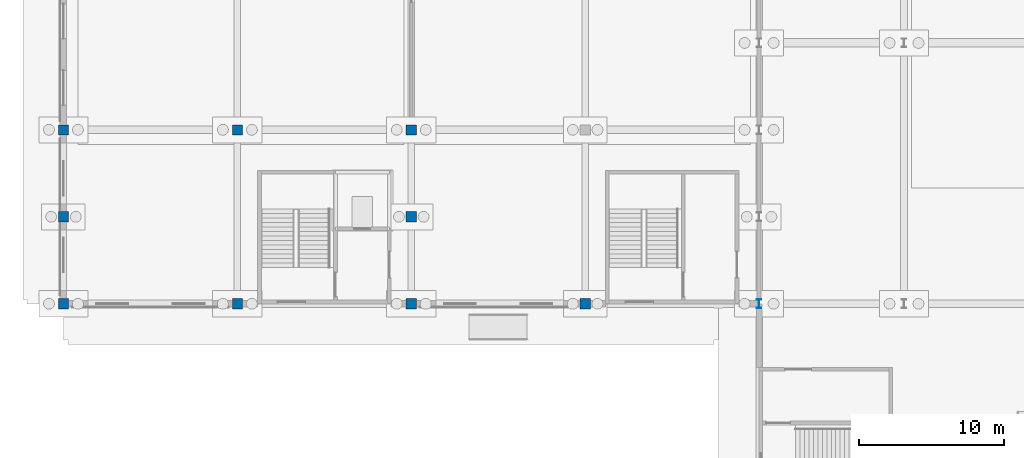
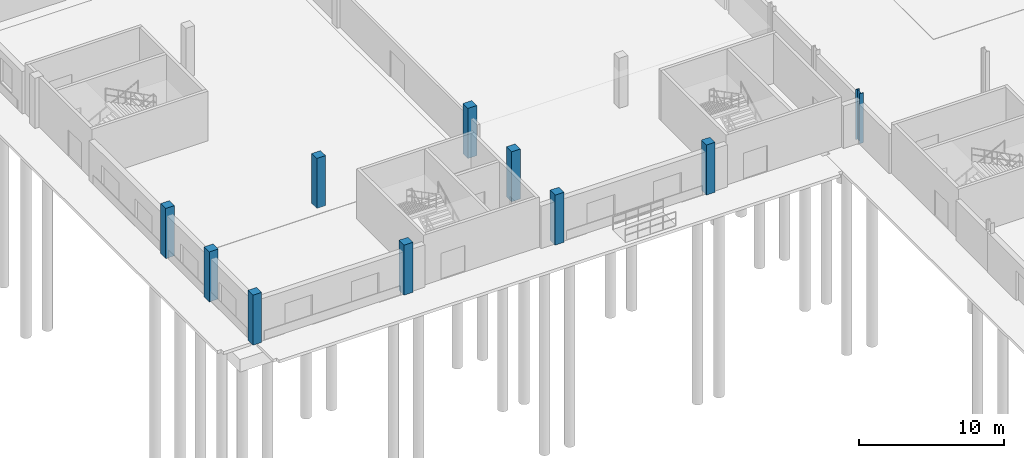
# One storey, part 11 of 77: 10 columns.
"""IFC4 building model written with IfcOpenShell, lengths in metres."""

from ifc_helpers import new_model, si_unit, direction, frame, origin, origin_2d, place, context, subcontext, project, spatial, rectangle, i_section, extrude, material, material_profile, profile_set, type_object, element, save


model = new_model("IFC4")

# Units and contexts
model_context = context("Model", 3, precision=1e-05, world=origin(), true_north=direction((0.0, 1.0)))
body_context = subcontext(model_context, "Body", "Model", "MODEL_VIEW")
ifc_project = project(units=[si_unit("LENGTHUNIT", "METRE"), si_unit("AREAUNIT", "SQUARE_METRE"), si_unit("VOLUMEUNIT", "CUBIC_METRE"), si_unit("PLANEANGLEUNIT", "RADIAN"), si_unit("MASSUNIT", "GRAM", prefix="KILO")], contexts=[model_context])

# Site, building, storey
site_placement = place(None, origin())
site = spatial("IfcSite", under=ifc_project, at=site_placement, CompositionType="ELEMENT")
building_placement = place(site_placement, origin())
building = spatial("IfcBuilding", under=site, at=building_placement, Name="Zilviju Railside Exhibition Hall", CompositionType="ELEMENT")
storey_placement = place(building_placement, origin())
storey = spatial("IfcBuildingStorey", under=building, at=storey_placement, Name="L01", CompositionType="ELEMENT", Elevation=0.0)

# Columns
ifc_material_1 = material(Name="Concrete C35/45", Category="concrete")
ifc_material_profile_1 = material_profile(ifc_material_1, rectangle(XDim=0.699951171875, YDim=0.699951171875, at=origin_2d()), Name="RC COL 700x700")
ifc_profile_set_1 = profile_set([ifc_material_profile_1], Name="Concrete C35/45")
column_type_1 = type_object("IfcColumnType", Name="COL-RC-700", PredefinedType="COLUMN", material=ifc_profile_set_1)
for number, where, z_axis, x_axis, name in (
    (1, (0.0, 36.0, 0.0), (0.0, 0.0, 1.0), (1.0, 0.0, 0.0), "Structural Column L01 (0.0, 36.0)"),
    (2, (12.0, 36.0, 0.0), (0.0, 0.0, 1.0), (1.0, 0.0, 0.0), "Structural Column L01 (12.0, 36.0)"),
    (3, (24.0, 36.0, 0.0), (0.0, 0.0, 1.0), (1.0, 0.0, 0.0), "Structural Column L01 (24.0, 36.0)"),
    (4, (36.0, 36.0, 0.0), (0.0, 0.0, 1.0), (1.0, 0.0, 0.0), "Structural Column L01 (36.0, 36.0)"),
    (5, (0.0, 42.0, 0.0), (0.0, 0.0, 1.0), (1.0, 0.0, 0.0), "Structural Column L01 (0.0, 42.0)"),
    (6, (24.0, 42.0, 0.0), (0.0, 0.0, 1.0), (1.0, 0.0, 0.0), "Structural Column L01 (24.0, 42.0)"),
    (7, (0.0, 48.0, 0.0), (0.0, 0.0, 1.0), (1.0, 0.0, 0.0), "Structural Column L01 (0.0, 48.0)"),
    (8, (12.0, 48.0, 0.0), (0.0, 0.0, 1.0), (1.0, 0.0, 0.0), "Structural Column L01 (12.0, 48.0)"),
    (9, (24.0, 48.0, 0.0), (0.0, 0.0, 1.0), (1.0, 0.0, 0.0), "Structural Column L01 (24.0, 48.0)"),
):
    element("IfcColumn", number, at=place(storey_placement, frame(where, z_axis=z_axis, x_axis=x_axis)), inside=storey, type_object=column_type_1, Name=name, PredefinedType="COLUMN", context=body_context, shape_type="SweptSolid", body=[
        extrude(rectangle(XDim=0.699951171875, YDim=0.699951171875, at=origin_2d()), origin(), (0.0, 0.0, 1.0), 4.199951171875),
    ])
ifc_material_2 = material(Name="Steel S355J2", Category="steel")
ifc_material_profile_2 = material_profile(ifc_material_2, i_section(OverallWidth=0.300048828125, OverallDepth=0.60009765625, WebThickness=0.015380859375, FlangeThickness=0.030029296875, at=origin_2d()), Name="HEB 600")
ifc_profile_set_2 = profile_set([ifc_material_profile_2], Name="Steel S355J2")
column_type_2 = type_object("IfcColumnType", Name="COL-ST-HEB600", PredefinedType="COLUMN", material=ifc_profile_set_2)
column_placement = place(storey_placement, frame((48.0, 36.0, 0.0), z_axis=(0.0, 0.0, 1.0), x_axis=(1.0, 0.0, 0.0)))
element("IfcColumn", 10, at=column_placement, inside=storey, type_object=column_type_2, Name="Structural Column L01 (48.0, 36.0)", PredefinedType="COLUMN", context=body_context, shape_type="SweptSolid", body=[
    extrude(i_section(OverallWidth=0.300048828125, OverallDepth=0.60009765625, WebThickness=0.015380859375, FlangeThickness=0.030029296875, at=origin_2d()), origin(), (0.0, 0.0, 1.0), 4.199951171875),
])

save(model, "model.ifc")
